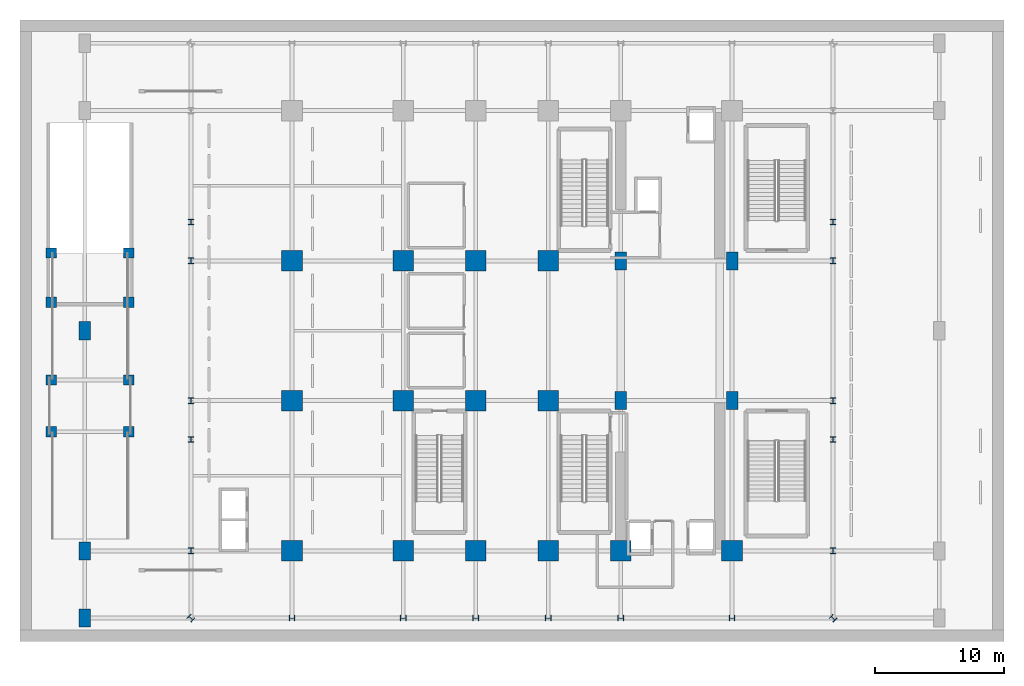
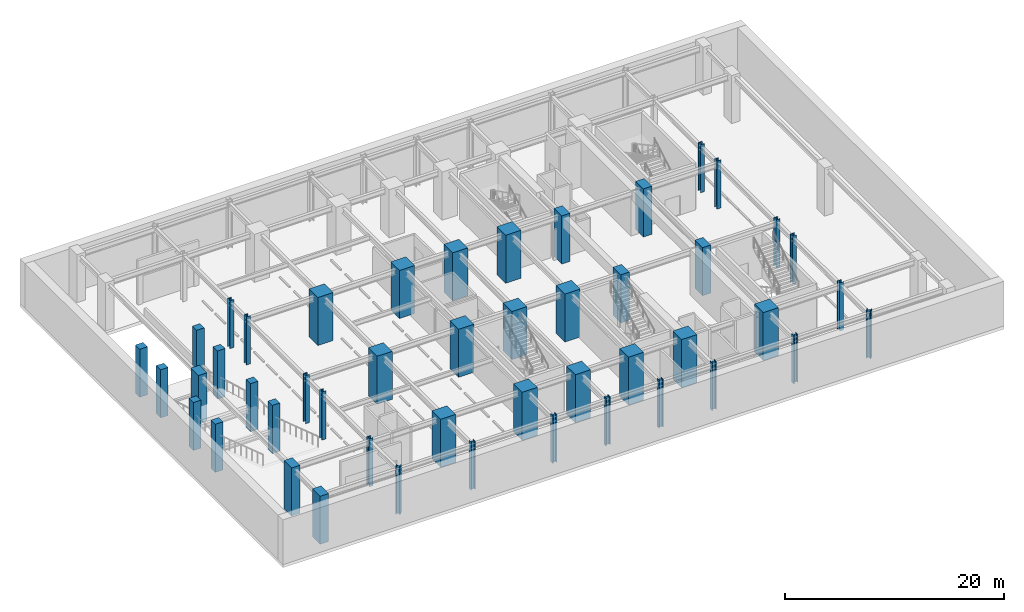
# One storey, part 1 of 10: 47 columns.
"""IFC4 building model written with IfcOpenShell, lengths in metres."""

from ifc_helpers import new_model, si_unit, direction, frame, origin, origin_2d, place, context, subcontext, project, spatial, rectangle, i_section, extrude, source, transform, mapped, material, material_profile, profile_set, type_object, element, save


model = new_model("IFC4")

# Units and contexts
model_context = context("Model", 3, precision=1e-05, world=origin(), true_north=direction((0.0, 1.0)))
body_context = subcontext(model_context, "Body", "Model", "MODEL_VIEW")
ifc_project = project(units=[si_unit("LENGTHUNIT", "METRE"), si_unit("AREAUNIT", "SQUARE_METRE"), si_unit("VOLUMEUNIT", "CUBIC_METRE"), si_unit("PLANEANGLEUNIT", "RADIAN"), si_unit("MASSUNIT", "GRAM", prefix="KILO")], contexts=[model_context])

# Site, building, storey
site_placement = place(None, origin())
site = spatial("IfcSite", under=ifc_project, at=site_placement, CompositionType="ELEMENT")
building_placement = place(site_placement, origin())
building = spatial("IfcBuilding", under=site, at=building_placement, Name="Nahalor Promenade Grand Hotel", CompositionType="ELEMENT")
storey_placement = place(building_placement, frame((0.0, 0.0, -5.39990234375)))
storey = spatial("IfcBuildingStorey", under=building, at=storey_placement, Name="B01", CompositionType="ELEMENT", Elevation=-5.39990234375)

# Columns
ifc_material_1 = material(Name="Concrete B-70 (C60/75)", Category="concrete")
ifc_material_profile_1 = material_profile(ifc_material_1, rectangle(XDim=1.6, YDim=1.6, at=origin_2d()), Name="RC 1600x1600")
ifc_profile_set_1 = profile_set([ifc_material_profile_1], Name="Concrete B-70 (C60/75)")
column_type_1 = type_object("IfcColumnType", Name="Col-RC-1600", PredefinedType="COLUMN", material=ifc_profile_set_1)
shared_shape_1 = source(origin(), body_context, "Body", "SweptSolid", [
    extrude(rectangle(XDim=1.6, YDim=1.6, at=origin_2d()), origin(), (0.0, 0.0, 1.0), 5.35498046875),
])
for number, where, z_axis, x_axis, name in (
    (1, (-17.0, -17.0, 0.0), (0.0, 0.0, 1.0), (1.0, 0.0, 0.0), "COL-B01-I00"),
    (2, (-17.0, -5.39990234375, 0.0), (0.0, 0.0, 1.0), (1.0, 0.0, 0.0), "COL-B01-I01"),
    (3, (-17.0, 5.39990234375, 0.0), (0.0, 0.0, 1.0), (1.0, 0.0, 0.0), "COL-B01-I02"),
    (4, (-8.39990234375, -17.0, 0.0), (0.0, 0.0, 1.0), (1.0, 0.0, 0.0), "COL-B01-I10"),
    (5, (-8.39990234375, -5.39990234375, 0.0), (0.0, 0.0, 1.0), (1.0, 0.0, 0.0), "COL-B01-I11"),
    (6, (-8.39990234375, 5.39990234375, 0.0), (0.0, 0.0, 1.0), (1.0, 0.0, 0.0), "COL-B01-I12"),
    (7, (-2.800048828125, -17.0, 0.0), (0.0, 0.0, 1.0), (1.0, 0.0, 0.0), "COL-B01-I20"),
    (8, (-2.800048828125, -5.39990234375, 0.0), (0.0, 0.0, 1.0), (1.0, 0.0, 0.0), "COL-B01-I21"),
    (9, (-2.800048828125, 5.39990234375, 0.0), (0.0, 0.0, 1.0), (1.0, 0.0, 0.0), "COL-B01-I22"),
    (10, (2.800048828125, -17.0, 0.0), (0.0, 0.0, 1.0), (1.0, 0.0, 0.0), "COL-B01-I30"),
    (11, (2.800048828125, -5.39990234375, 0.0), (0.0, 0.0, 1.0), (1.0, 0.0, 0.0), "COL-B01-I31"),
    (12, (2.800048828125, 5.39990234375, 0.0), (0.0, 0.0, 1.0), (1.0, 0.0, 0.0), "COL-B01-I32"),
    (13, (8.39990234375, -17.0, 0.0), (0.0, 0.0, 1.0), (1.0, 0.0, 0.0), "COL-B01-I40"),
    (14, (17.0, -17.0, 0.0), (0.0, 0.0, 1.0), (1.0, 0.0, 0.0), "COL-B01-I50"),
):
    element("IfcColumn", number, at=place(storey_placement, frame(where, z_axis=z_axis, x_axis=x_axis)), inside=storey, type_object=column_type_1, Name=name, PredefinedType="COLUMN", context=body_context, shape_type="MappedRepresentation", body=[
        mapped(shared_shape_1, transform((0.0, 0.0, 0.0), scale=1.0)),
    ])
ifc_material_2 = material(Name="Concrete B-60 (C50/60)", Category="concrete")
ifc_material_profile_2 = material_profile(ifc_material_2, rectangle(XDim=0.9, YDim=1.4, at=origin_2d()), Name="RC 900x1400")
ifc_profile_set_2 = profile_set([ifc_material_profile_2], Name="Concrete B-60 (C50/60)")
column_type_2 = type_object("IfcColumnType", Name="Col-Pilaster-1400", PredefinedType="PILASTER", material=ifc_profile_set_2)
shared_shape_2 = source(origin(), body_context, "Body", "SweptSolid", [
    extrude(rectangle(XDim=0.9, YDim=1.4, at=origin_2d()), origin(), (0.0, 0.0, 1.0), 5.35498046875),
])
for number, where, z_axis, x_axis, name in (
    (15, (8.39990234375, -5.39990234375, 0.0), (0.0, 0.0, 1.0), (1.0, 0.0, 0.0), "COL-B01-I41"),
    (16, (8.39990234375, 5.39990234375, 0.0), (0.0, 0.0, 1.0), (1.0, 0.0, 0.0), "COL-B01-I42"),
    (17, (17.0, -5.39990234375, 0.0), (0.0, 0.0, 1.0), (1.0, 0.0, 0.0), "COL-B01-I51"),
    (18, (17.0, 5.39990234375, 0.0), (0.0, 0.0, 1.0), (1.0, 0.0, 0.0), "COL-B01-I52"),
    (19, (-33.0, -22.199951171875, 0.0), (0.0, 0.0, 1.0), (1.0, 0.0, 0.0), "COL-B01-PC-W0"),
    (20, (-33.0, -17.0, 0.0), (0.0, 0.0, 1.0), (1.0, 0.0, 0.0), "COL-B01-PC-W1"),
    (21, (-33.0, 0.0, 0.0), (0.0, 0.0, 1.0), (1.0, 0.0, 0.0), "COL-B01-PC-W2"),
):
    element("IfcColumn", number, at=place(storey_placement, frame(where, z_axis=z_axis, x_axis=x_axis)), inside=storey, type_object=column_type_2, Name=name, PredefinedType="PILASTER", context=body_context, shape_type="MappedRepresentation", body=[
        mapped(shared_shape_2, transform((0.0, 0.0, 0.0), scale=1.0)),
    ])
ifc_material_3 = material(Name="Concrete B-50 (C40/50)", Category="concrete")
ifc_material_profile_3 = material_profile(ifc_material_3, rectangle(XDim=0.8, YDim=0.8, at=origin_2d()), Name="RC 800x800")
ifc_profile_set_3 = profile_set([ifc_material_profile_3], Name="Concrete B-50 (C40/50)")
column_type_3 = type_object("IfcColumnType", Name="Col-RC-800", PredefinedType="COLUMN", material=ifc_profile_set_3)
shared_shape_3 = source(origin(), body_context, "Body", "SweptSolid", [
    extrude(rectangle(XDim=0.8, YDim=0.8, at=origin_2d()), origin(), (0.0, 0.0, 1.0), 5.35498046875),
])
for number, where, z_axis, x_axis, name in (
    (22, (-35.60009765625, -7.800048828125, 0.0), (0.0, 0.0, 1.0), (1.0, 0.0, 0.0), "COL-B01-RMP-1"),
    (23, (-29.60009765625, -7.800048828125, 0.0), (0.0, 0.0, 1.0), (1.0, 0.0, 0.0), "COL-B01-RMP-2"),
    (24, (-35.60009765625, -3.800048828125, 0.0), (0.0, 0.0, 1.0), (1.0, 0.0, 0.0), "COL-B01-RMP-3"),
    (25, (-29.60009765625, -3.800048828125, 0.0), (0.0, 0.0, 1.0), (1.0, 0.0, 0.0), "COL-B01-RMP-4"),
    (26, (-35.60009765625, 2.199951171875, 0.0), (0.0, 0.0, 1.0), (1.0, 0.0, 0.0), "COL-B01-RMP-5"),
    (27, (-29.60009765625, 2.199951171875, 0.0), (0.0, 0.0, 1.0), (1.0, 0.0, 0.0), "COL-B01-RMP-6"),
    (28, (-35.60009765625, 6.0, 0.0), (0.0, 0.0, 1.0), (1.0, 0.0, 0.0), "COL-B01-RMP-7"),
    (29, (-29.60009765625, 6.0, 0.0), (0.0, 0.0, 1.0), (1.0, 0.0, 0.0), "COL-B01-RMP-8"),
):
    element("IfcColumn", number, at=place(storey_placement, frame(where, z_axis=z_axis, x_axis=x_axis)), inside=storey, type_object=column_type_3, Name=name, PredefinedType="COLUMN", context=body_context, shape_type="MappedRepresentation", body=[
        mapped(shared_shape_3, transform((0.0, 0.0, 0.0), scale=1.0)),
    ])
ifc_material_4 = material(Name="Steel S355J2", Category="steel")
ifc_material_profile_4 = material_profile(ifc_material_4, i_section(OverallWidth=0.416, OverallDepth=0.446, WebThickness=0.025, FlangeThickness=0.04, at=origin_2d()), Name="HD 400x509")
ifc_profile_set_4 = profile_set([ifc_material_profile_4], Name="Steel S355J2")
column_type_4 = type_object("IfcColumnType", Name="Col-Steel-HD509", PredefinedType="COLUMN", material=ifc_profile_set_4)
shared_shape_4 = source(origin(), body_context, "Body", "SweptSolid", [
    extrude(i_section(OverallWidth=0.416, OverallDepth=0.446, WebThickness=0.025, FlangeThickness=0.04, at=origin_2d()), origin(), (0.0, 0.0, 1.0), 5.35498046875),
])
for number, where, z_axis, x_axis, name in (
    (30, (-24.800048828125, -17.0, 0.0), (0.0, 0.0, 1.0), (1.0, 0.0, 0.0), "COL-B01-PW-W0"),
    (31, (24.800048828125, -17.0, 0.0), (0.0, 0.0, 1.0), (1.0, 0.0, 0.0), "COL-B01-PW-E0"),
    (32, (-24.800048828125, -8.39990234375, 0.0), (0.0, 0.0, 1.0), (1.0, 0.0, 0.0), "COL-B01-PW-W1"),
    (33, (24.800048828125, -8.39990234375, 0.0), (0.0, 0.0, 1.0), (1.0, 0.0, 0.0), "COL-B01-PW-E1"),
    (34, (-24.800048828125, -5.39990234375, 0.0), (0.0, 0.0, 1.0), (1.0, 0.0, 0.0), "COL-B01-PW-W2"),
    (35, (24.800048828125, -5.39990234375, 0.0), (0.0, 0.0, 1.0), (1.0, 0.0, 0.0), "COL-B01-PW-E2"),
    (36, (-24.800048828125, 5.39990234375, 0.0), (0.0, 0.0, 1.0), (1.0, 0.0, 0.0), "COL-B01-PW-W3"),
    (37, (24.800048828125, 5.39990234375, 0.0), (0.0, 0.0, 1.0), (1.0, 0.0, 0.0), "COL-B01-PW-E3"),
    (38, (-24.800048828125, 8.39990234375, 0.0), (0.0, 0.0, 1.0), (1.0, 0.0, 0.0), "COL-B01-PW-W4"),
    (39, (24.800048828125, 8.39990234375, 0.0), (0.0, 0.0, 1.0), (1.0, 0.0, 0.0), "COL-B01-PW-E4"),
    (40, (-17.0, -22.199951171875, 0.0), (0.0, 0.0, 1.0), (0.0, 1.0, 0.0), "COL-B01-PN-S0"),
    (41, (-8.39990234375, -22.199951171875, 0.0), (0.0, 0.0, 1.0), (0.0, 1.0, 0.0), "COL-B01-PN-S1"),
    (42, (-2.800048828125, -22.199951171875, 0.0), (0.0, 0.0, 1.0), (0.0, 1.0, 0.0), "COL-B01-PN-S2"),
    (43, (2.800048828125, -22.199951171875, 0.0), (0.0, 0.0, 1.0), (0.0, 1.0, 0.0), "COL-B01-PN-S3"),
    (44, (8.39990234375, -22.199951171875, 0.0), (0.0, 0.0, 1.0), (0.0, 1.0, 0.0), "COL-B01-PN-S4"),
    (45, (17.0, -22.199951171875, 0.0), (0.0, 0.0, 1.0), (0.0, 1.0, 0.0), "COL-B01-PN-S5"),
    (46, (-24.800048828125, -22.199951171875, 0.0), (0.0, 0.0, 1.0), (0.707106781187, 0.707106781187, 0.0), "COL-B01-CRN-SW"),
    (47, (24.800048828125, -22.199951171875, 0.0), (0.0, 0.0, 1.0), (0.707106781187, 0.707106781187, 0.0), "COL-B01-CRN-SE"),
):
    element("IfcColumn", number, at=place(storey_placement, frame(where, z_axis=z_axis, x_axis=x_axis)), inside=storey, type_object=column_type_4, Name=name, PredefinedType="COLUMN", context=body_context, shape_type="MappedRepresentation", body=[
        mapped(shared_shape_4, transform((0.0, 0.0, 0.0), scale=1.0)),
    ])

save(model, "model.ifc")
